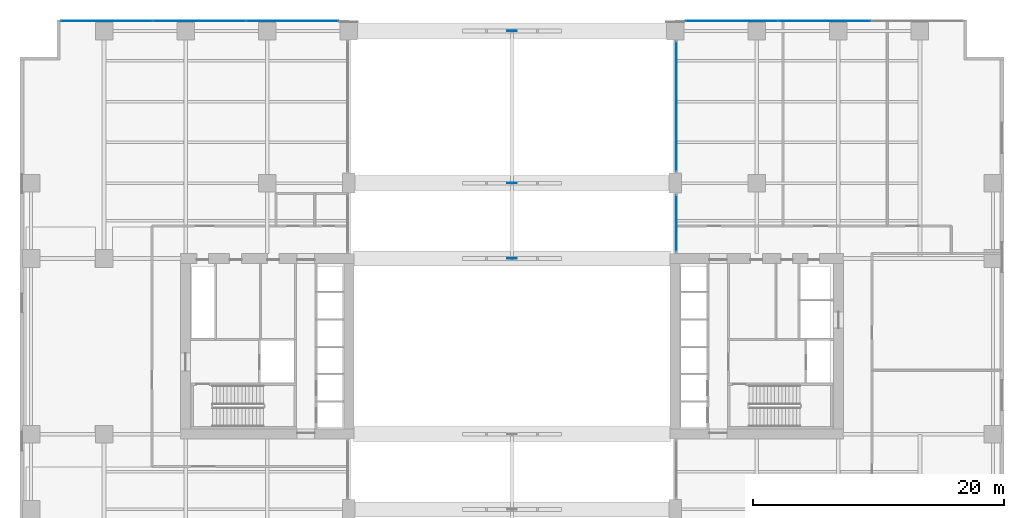
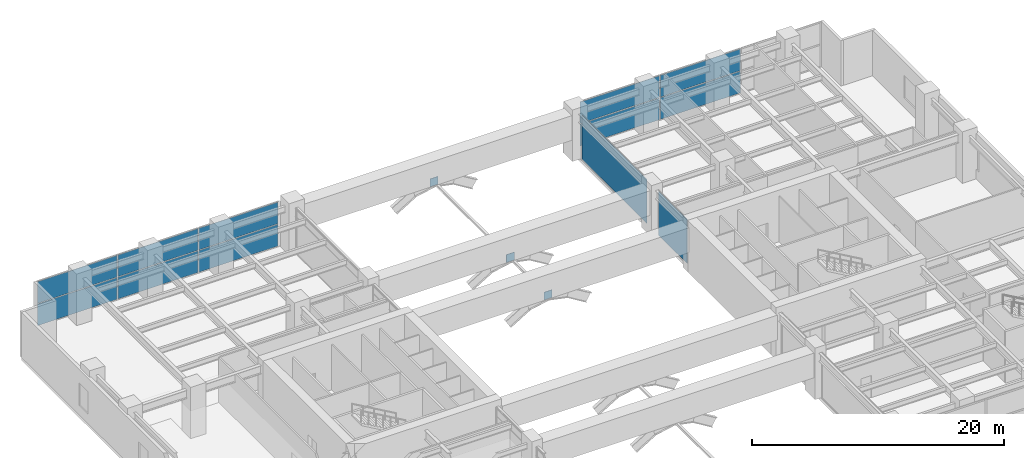
# One storey, part 14 of 23: 15 plates, 4 elements without a shape of their own.
"""IFC4 building model written with IfcOpenShell, lengths in metres."""

import ifcopenshell
import ifcopenshell.guid

model = None  # the IFC model being written
_history = None  # IfcOwnerHistory: only IFC2X3 demands one
_inside = {}  # id of a spatial element -> (the spatial element, [elements in it])
_under = {}  # id of a project, library or spatial element -> (it, [spatial elements below it])
_declared = {}  # id of a project -> (the project, [libraries it declares])
_typed = {}  # id of a type object -> (the type object, [elements of that type])
_made_of = {}  # id of a material, layer set ... -> (it, [elements and type objects made of it])


def new_model(schema):
    """Start an empty IFC model of exactly this schema.

    Asked for "IFC4X3", IfcOpenShell would pick the latest addendum, in which some entities
    have other attributes; the version numbers below select the first issue.
    IFC2X3 requires an IfcOwnerHistory on every rooted entity: one is made here for all.
    """
    global model, _history
    if schema == "IFC4X3":
        model = ifcopenshell.file(schema_version=(4, 3, 0, 0))
    else:
        model = ifcopenshell.file(schema=schema)
    _inside.clear()
    _under.clear()
    _declared.clear()
    _typed.clear()
    _made_of.clear()
    _history = None
    if model.schema == "IFC2X3":
        org = make("IfcOrganization", Name="unknown")
        user = make(
            "IfcPersonAndOrganization",
            ThePerson=make("IfcPerson", FamilyName="unknown"),
            TheOrganization=org,
        )
        app = make(
            "IfcApplication",
            ApplicationDeveloper=org,
            Version="unknown",
            ApplicationFullName="unknown",
            ApplicationIdentifier="unknown",
        )
        _history = make(
            "IfcOwnerHistory",
            OwningUser=user,
            OwningApplication=app,
            ChangeAction="ADDED",
            CreationDate=0,
        )
    return model


def make(cls, **values):
    """One entity of the class cls with the attributes given. An attribute that is None is left unset."""
    return model.create_entity(
        cls, **{name: value for name, value in values.items() if value is not None}
    )


def rooted(cls, **values):
    """An entity with a GlobalId (a new one), such as an element, a storey or a relation."""
    return make(cls, GlobalId=ifcopenshell.guid.new(), OwnerHistory=_history, **values)


def si_unit(unit_type, name, prefix=None):
    """IfcSIUnit, for example si_unit("LENGTHUNIT", "METRE", prefix="MILLI")."""
    return make("IfcSIUnit", UnitType=unit_type, Prefix=prefix, Name=name)


def assignment(units):
    """IfcUnitAssignment: the units of a project."""
    return None if units is None else make("IfcUnitAssignment", Units=units)


def point(xyz):
    """IfcCartesianPoint."""
    return None if xyz is None else make("IfcCartesianPoint", Coordinates=xyz)


def direction(xyz):
    """IfcDirection."""
    return None if xyz is None else make("IfcDirection", DirectionRatios=xyz)


def frame(location, z_axis=None, x_axis=None):
    """IfcAxis2Placement3D, a coordinate frame: its origin and axes. An axis left out is left unset."""
    return make(
        "IfcAxis2Placement3D",
        Location=point(location),
        Axis=direction(z_axis),
        RefDirection=direction(x_axis),
    )


def frame_2d(location, x_axis=None):
    """IfcAxis2Placement2D, a coordinate frame in the plane: its origin and x axis."""
    return make(
        "IfcAxis2Placement2D", Location=point(location), RefDirection=direction(x_axis)
    )


def origin():
    """The frame at (0, 0, 0) with its axes left unset."""
    return frame((0.0, 0.0, 0.0))


def origin_2d():
    """The frame at (0, 0) in the plane with its x axis left unset."""
    return frame_2d((0.0, 0.0))


def place(relative_to, where):
    """IfcLocalPlacement: puts the frame where relative to a parent placement (None: the world)."""
    return make(
        "IfcLocalPlacement", PlacementRelTo=relative_to, RelativePlacement=where
    )


def context(
    kind, dimensions, precision=None, world=None, true_north=None, identifier=None
):
    """IfcGeometricRepresentationContext, for example the 3D "Model" context."""
    return make(
        "IfcGeometricRepresentationContext",
        ContextIdentifier=identifier,
        ContextType=kind,
        CoordinateSpaceDimension=dimensions,
        Precision=precision,
        WorldCoordinateSystem=world,
        TrueNorth=true_north,
    )


def subcontext(parent, identifier, kind, view, scale=None):
    """IfcGeometricRepresentationSubContext, for example "Body" below "Model"."""
    return make(
        "IfcGeometricRepresentationSubContext",
        ContextIdentifier=identifier,
        ContextType=kind,
        ParentContext=parent,
        TargetScale=scale,
        TargetView=view,
    )


def project(units=None, contexts=None):
    """IfcProject with its units and contexts."""
    return rooted(
        "IfcProject",
        Name="project",
        RepresentationContexts=contexts,
        UnitsInContext=assignment(units),
    )


def spatial(cls, under=None, at=None, **own):
    """A site, building, storey or space (cls), placed at a placement, below another one or the project."""
    s = rooted(cls, ObjectPlacement=at, **own)
    if under is not None:
        _under.setdefault(under.id(), (under, []))[1].append(s)
    return s


def profile(cls, at=None, kind="AREA", **sizes):
    """A parametric profile (cls). Its sizes go by their IFC names, for example OverallWidth=200.0."""
    return make(cls, ProfileType=kind, Position=at, **sizes)


def rectangle(**sizes):
    """IfcRectangleProfileDef."""
    return profile("IfcRectangleProfileDef", **sizes)


def extrude(swept, where, along, depth):
    """IfcExtrudedAreaSolid: the profile swept, set in the frame where, extruded along a direction by depth."""
    return make(
        "IfcExtrudedAreaSolid",
        SweptArea=swept,
        Position=where,
        ExtrudedDirection=direction(along),
        Depth=depth,
    )


def shape(context_of_items, identifier, shape_type, items):
    """IfcShapeRepresentation: the items that make up one representation, for example the "Body"."""
    return make(
        "IfcShapeRepresentation",
        ContextOfItems=context_of_items,
        RepresentationIdentifier=identifier,
        RepresentationType=shape_type,
        Items=items,
    )


def material(Name=None, Category=None):
    """IfcMaterial."""
    return make("IfcMaterial", Name=Name, Category=Category)


def layer(
    of_material, thickness, ventilated=None, Name=None, Category=None, Priority=None
):
    """IfcMaterialLayer: one layer of a wall or slab, of a material (None: an air gap)."""
    return make(
        "IfcMaterialLayer",
        Material=of_material,
        LayerThickness=thickness,
        IsVentilated=ventilated,
        Name=Name,
        Category=Category,
        Priority=Priority,
    )


def layer_set(layers, Name=None):
    """IfcMaterialLayerSet."""
    return make("IfcMaterialLayerSet", MaterialLayers=layers, LayerSetName=Name)


def made_of(thing, what):
    """Note that an element or type object is made of a material, layer set ...; save() writes the relation."""
    if what is not None:
        _made_of.setdefault(what.id(), (what, []))[1].append(thing)
    return thing


def type_object(cls, material=None, **own):
    """A type object (cls), such as IfcWallType, which elements share."""
    return made_of(rooted(cls, **own), material)


def element(
    cls,
    number,
    at=None,
    inside=None,
    cuts=None,
    type_object=None,
    material=None,
    context=None,
    identifier="Body",
    shape_type=None,
    held_by="IfcProductDefinitionShape",
    body=None,
    shapes=None,
    **own,
):
    """One element of the class cls, such as IfcWall. Its Tag is "e" and its number.

    at: its placement. inside: the storey or other place that contains it. cuts: it is an
    opening in that element (IfcRelVoidsElement). A single representation is given by context,
    identifier, shape_type and body (its items); several are given by shapes. held_by: the class
    of the entity that holds the representations. save() writes the other relations.
    """
    e = rooted(cls, Tag="e%d" % number, ObjectPlacement=at, **own)
    if body is not None:
        shapes = [shape(context, identifier, shape_type, body)]
    if shapes is not None:
        e.Representation = make(held_by, Representations=shapes)
    if inside is not None:
        _inside.setdefault(inside.id(), (inside, []))[1].append(e)
    if cuts is not None:
        rooted(
            "IfcRelVoidsElement", RelatingBuildingElement=cuts, RelatedOpeningElement=e
        )
    if type_object is not None:
        _typed.setdefault(type_object.id(), (type_object, []))[1].append(e)
    return made_of(e, material)


def aggregate(whole, parts):
    """IfcRelAggregates: a whole, such as a stair, and the parts it consists of."""
    return rooted("IfcRelAggregates", RelatingObject=whole, RelatedObjects=parts)


def save(model, path):
    """Write the relations noted so far, then the file.

    IfcRelAggregates (storeys below a building ...), IfcRelContainedInSpatialStructure (elements
    in a storey), IfcRelDefinesByType, IfcRelAssociatesMaterial and IfcRelDeclares: one each for
    every whole, place, type object, material and project.
    """
    for whole, parts in _under.values():
        aggregate(whole, parts)
    for where, things in _inside.values():
        rooted(
            "IfcRelContainedInSpatialStructure",
            RelatedElements=things,
            RelatingStructure=where,
        )
    for kind, things in _typed.values():
        rooted("IfcRelDefinesByType", RelatedObjects=things, RelatingType=kind)
    for what, things in _made_of.values():
        rooted("IfcRelAssociatesMaterial", RelatedObjects=things, RelatingMaterial=what)
    for by, libraries in _declared.values():
        rooted("IfcRelDeclares", RelatingContext=by, RelatedDefinitions=libraries)
    model.write(path)


model = new_model("IFC4")

# Units and contexts
model_context = context("Model", 3, precision=1e-05, world=origin(), true_north=direction((0.0, 1.0)))
body_context = subcontext(model_context, "Body", "Model", "MODEL_VIEW")
ifc_project = project(units=[si_unit("LENGTHUNIT", "METRE"), si_unit("AREAUNIT", "SQUARE_METRE"), si_unit("VOLUMEUNIT", "CUBIC_METRE"), si_unit("PLANEANGLEUNIT", "RADIAN"), si_unit("MASSUNIT", "GRAM", prefix="KILO")], contexts=[model_context])

# Site, building, storey
site_placement = place(None, origin())
site = spatial("IfcSite", under=ifc_project, at=site_placement, CompositionType="ELEMENT")
building_placement = place(site_placement, origin())
building = spatial("IfcBuilding", under=site, at=building_placement, Name="Putna Gate Headquarters", CompositionType="ELEMENT")
storey_placement = place(building_placement, frame((0.0, 0.0, 17.0)))
storey = spatial("IfcBuildingStorey", under=building, at=storey_placement, Name="L03", CompositionType="ELEMENT", Elevation=17.0)

# Curtain wall, plate
ifc_material_1 = material(Name="Anodised bronze aluminium curtain wall", Category="aluminium")
ifc_layer_1 = layer(ifc_material_1, 0.179931640625)
ifc_layer_set_1 = layer_set([ifc_layer_1], Name="Anodised bronze aluminium curtain wall")
curtain_wall_type_1 = type_object("IfcCurtainWallType", Name="CW-SYS-ATR", PredefinedType="USERDEFINED", material=ifc_layer_set_1)
curtain_wall_1_placement = place(storey_placement, origin())
curtain_wall_1 = element("IfcCurtainWall", 1, at=curtain_wall_1_placement, inside=storey, type_object=curtain_wall_type_1, Name="L03 Arch Flank Glazing E-N1", ObjectType="ATRIUM GLAZING", PredefinedType="USERDEFINED")
ifc_material_2 = material(Name="Clear low-iron triple glazing", Category="glass")
ifc_layer_2 = layer(ifc_material_2, 0.0400390625)
ifc_layer_set_2 = layer_set([ifc_layer_2], Name="Clear low-iron triple glazing")
plate_type_1 = type_object("IfcPlateType", Name="PAN-CWP-AT", PredefinedType="CURTAIN_PANEL", material=ifc_layer_set_2)
plate_1_placement = place(storey_placement, frame((52.10009765625, 35.800048828125, 0.06982421875), z_axis=(0.0, 0.0, 1.0), x_axis=(0.0, 1.0, 0.0)))
plate_1 = element("IfcPlate", 2, at=plate_1_placement, type_object=plate_type_1, Name="CWS-AT panel 1.1", PredefinedType="CURTAIN_PANEL", context=body_context, shape_type="SweptSolid", body=[
    extrude(rectangle(XDim=4.5, YDim=0.0400390625, at=origin_2d()), origin(), (0.0, 0.0, 1.0), 4.260009765625),
])
aggregate(curtain_wall_1, [plate_1])

curtain_wall_2_placement = place(storey_placement, origin())
curtain_wall_2 = element("IfcCurtainWall", 3, at=curtain_wall_2_placement, inside=storey, type_object=curtain_wall_type_1, Name="L03 Arch Flank Glazing E-N2", ObjectType="ATRIUM GLAZING", PredefinedType="USERDEFINED")
plate_2_placement = place(storey_placement, frame((52.10009765625, 45.114990234375, 0.06982421875), z_axis=(0.0, 0.0, 1.0), x_axis=(0.0, 1.0, 0.0)))
plate_2 = element("IfcPlate", 4, at=plate_2_placement, type_object=plate_type_1, Name="CWS-AT panel 1.1", PredefinedType="CURTAIN_PANEL", context=body_context, shape_type="SweptSolid", body=[
    extrude(rectangle(XDim=10.330078125, YDim=0.0400390625, at=origin_2d()), origin(), (0.0, 0.0, 1.0), 4.260009765625),
])
aggregate(curtain_wall_2, [plate_2])

# Curtain wall, plates
ifc_layer_3 = layer(ifc_material_1, 0.179931640625)
ifc_layer_set_3 = layer_set([ifc_layer_3], Name="Anodised bronze aluminium curtain wall")
curtain_wall_type_2 = type_object("IfcCurtainWallType", Name="CW-SYS-POD", PredefinedType="USERDEFINED", material=ifc_layer_set_3)
curtain_wall_3_placement = place(storey_placement, origin())
curtain_wall_3 = element("IfcCurtainWall", 5, at=curtain_wall_3_placement, inside=storey, type_object=curtain_wall_type_2, Name="L03 North West Curtain Wall", ObjectType="STICK CURTAIN WALL", PredefinedType="USERDEFINED")
ifc_material_3 = material(Name="Solar-control triple low-E glass", Category="glass")
ifc_layer_4 = layer(ifc_material_3, 0.035888671875)
ifc_layer_set_4 = layer_set([ifc_layer_4], Name="Solar-control triple low-E glass")
plate_type_2 = type_object("IfcPlateType", Name="PAN-CWP-P", PredefinedType="CURTAIN_PANEL", material=ifc_layer_set_4)
plate_3_placement = place(storey_placement, frame((6.720947265625, 51.919921875, 0.06982421875), z_axis=(0.0, 0.0, 1.0), x_axis=(1.0, 0.0, 0.0)))
plate_3 = element("IfcPlate", 6, at=plate_3_placement, type_object=plate_type_2, Name="CWS-P panel 1.1", PredefinedType="CURTAIN_PANEL", context=body_context, shape_type="SweptSolid", body=[
    extrude(rectangle(XDim=7.3017578125, YDim=0.035888671875, at=origin_2d()), origin(), (0.0, 0.0, 1.0), 2.094970703125),
])
plate_4_placement = place(storey_placement, frame((6.720947265625, 51.919921875, 2.23486328125), z_axis=(0.0, 0.0, 1.0), x_axis=(1.0, 0.0, 0.0)))
plate_4 = element("IfcPlate", 7, at=plate_4_placement, type_object=plate_type_2, Name="CWS-P panel 1.2", PredefinedType="CURTAIN_PANEL", context=body_context, shape_type="SweptSolid", body=[
    extrude(rectangle(XDim=7.3017578125, YDim=0.035888671875, at=origin_2d()), origin(), (0.0, 0.0, 1.0), 2.094970703125),
])
plate_5_placement = place(storey_placement, frame((14.110107421875, 51.919921875, 0.06982421875), z_axis=(0.0, 0.0, 1.0), x_axis=(1.0, 0.0, 0.0)))
plate_5 = element("IfcPlate", 8, at=plate_5_placement, type_object=plate_type_2, Name="CWS-P panel 2.1", PredefinedType="CURTAIN_PANEL", context=body_context, shape_type="SweptSolid", body=[
    extrude(rectangle(XDim=7.336669921875, YDim=0.035888671875, at=origin_2d()), origin(), (0.0, 0.0, 1.0), 2.094970703125),
])
plate_6_placement = place(storey_placement, frame((14.110107421875, 51.919921875, 2.23486328125), z_axis=(0.0, 0.0, 1.0), x_axis=(1.0, 0.0, 0.0)))
plate_6 = element("IfcPlate", 9, at=plate_6_placement, type_object=plate_type_2, Name="CWS-P panel 2.2", PredefinedType="CURTAIN_PANEL", context=body_context, shape_type="SweptSolid", body=[
    extrude(rectangle(XDim=7.336669921875, YDim=0.035888671875, at=origin_2d()), origin(), (0.0, 0.0, 1.0), 2.094970703125),
])
plate_7_placement = place(storey_placement, frame((21.499267578125, 51.919921875, 0.06982421875), z_axis=(0.0, 0.0, 1.0), x_axis=(1.0, 0.0, 0.0)))
plate_7 = element("IfcPlate", 10, at=plate_7_placement, type_object=plate_type_2, Name="CWS-P panel 3.1", PredefinedType="CURTAIN_PANEL", context=body_context, shape_type="SweptSolid", body=[
    extrude(rectangle(XDim=7.3017578125, YDim=0.035888671875, at=origin_2d()), origin(), (0.0, 0.0, 1.0), 2.094970703125),
])
plate_8_placement = place(storey_placement, frame((21.499267578125, 51.919921875, 2.23486328125), z_axis=(0.0, 0.0, 1.0), x_axis=(1.0, 0.0, 0.0)))
plate_8 = element("IfcPlate", 11, at=plate_8_placement, type_object=plate_type_2, Name="CWS-P panel 3.2", PredefinedType="CURTAIN_PANEL", context=body_context, shape_type="SweptSolid", body=[
    extrude(rectangle(XDim=7.3017578125, YDim=0.035888671875, at=origin_2d()), origin(), (0.0, 0.0, 1.0), 2.094970703125),
])
aggregate(curtain_wall_3, [plate_3, plate_4, plate_5, plate_6, plate_7, plate_8])

curtain_wall_4_placement = place(storey_placement, origin())
curtain_wall_4 = element("IfcCurtainWall", 12, at=curtain_wall_4_placement, inside=storey, type_object=curtain_wall_type_2, Name="L03 North East Curtain Wall", ObjectType="STICK CURTAIN WALL", PredefinedType="USERDEFINED")
plate_9_placement = place(storey_placement, frame((56.500732421875, 51.919921875, 0.06982421875), z_axis=(0.0, 0.0, 1.0), x_axis=(1.0, 0.0, 0.0)))
plate_9 = element("IfcPlate", 13, at=plate_9_placement, type_object=plate_type_2, Name="CWS-P panel 1.1", PredefinedType="CURTAIN_PANEL", context=body_context, shape_type="SweptSolid", body=[
    extrude(rectangle(XDim=7.3017578125, YDim=0.035888671875, at=origin_2d()), origin(), (0.0, 0.0, 1.0), 2.094970703125),
])
plate_10_placement = place(storey_placement, frame((56.500732421875, 51.919921875, 2.23486328125), z_axis=(0.0, 0.0, 1.0), x_axis=(1.0, 0.0, 0.0)))
plate_10 = element("IfcPlate", 14, at=plate_10_placement, type_object=plate_type_2, Name="CWS-P panel 1.2", PredefinedType="CURTAIN_PANEL", context=body_context, shape_type="SweptSolid", body=[
    extrude(rectangle(XDim=7.3017578125, YDim=0.035888671875, at=origin_2d()), origin(), (0.0, 0.0, 1.0), 2.094970703125),
])
plate_11_placement = place(storey_placement, frame((63.889892578125, 51.919921875, 0.06982421875), z_axis=(0.0, 0.0, 1.0), x_axis=(1.0, 0.0, 0.0)))
plate_11 = element("IfcPlate", 15, at=plate_11_placement, type_object=plate_type_2, Name="CWS-P panel 2.1", PredefinedType="CURTAIN_PANEL", context=body_context, shape_type="SweptSolid", body=[
    extrude(rectangle(XDim=7.336669921875, YDim=0.035888671875, at=origin_2d()), origin(), (0.0, 0.0, 1.0), 2.094970703125),
])
plate_12_placement = place(storey_placement, frame((63.889892578125, 51.919921875, 2.23486328125), z_axis=(0.0, 0.0, 1.0), x_axis=(1.0, 0.0, 0.0)))
plate_12 = element("IfcPlate", 16, at=plate_12_placement, type_object=plate_type_2, Name="CWS-P panel 2.2", PredefinedType="CURTAIN_PANEL", context=body_context, shape_type="SweptSolid", body=[
    extrude(rectangle(XDim=7.336669921875, YDim=0.035888671875, at=origin_2d()), origin(), (0.0, 0.0, 1.0), 2.094970703125),
])
aggregate(curtain_wall_4, [plate_9, plate_10, plate_11, plate_12])

# Plates
ifc_material_4 = material(Name="Steel S460M", Category="steel")
ifc_layer_5 = layer(ifc_material_4, 0.0400390625)
ifc_layer_set_5 = layer_set([ifc_layer_5], Name="Steel S460M")
plate_type_3 = type_object("IfcPlateType", Name="PLT-NODE-AN2", PredefinedType="SHEET", material=ifc_layer_set_5)
plate_13_placement = place(storey_placement, frame((39.0, 51.1201171875, 1.574951171875), z_axis=(0.0, 0.0, 1.0), x_axis=(1.0, 0.0, 0.0)))
element("IfcPlate", 17, at=plate_13_placement, inside=storey, type_object=plate_type_3, Name="Giant Arch Crown Node Plate AN2 N", PredefinedType="SHEET", context=body_context, shape_type="SweptSolid", body=[
    extrude(rectangle(XDim=0.75, YDim=0.0400390625, at=origin_2d()), origin(), (0.0, 0.0, 1.0), 0.75),
])
ifc_layer_6 = layer(ifc_material_4, 0.0400390625)
ifc_layer_set_6 = layer_set([ifc_layer_6], Name="Steel S460M")
plate_type_4 = type_object("IfcPlateType", Name="PLT-NODE-AN2-INT", PredefinedType="SHEET", material=ifc_layer_set_6)
for number, where, z_axis, x_axis, name in (
    (18, (39.0, 33.0, 1.574951171875), (0.0, 0.0, 1.0), (1.0, 0.0, 0.0), "Giant Arch Crown Node Plate AN2 AN"),
    (19, (39.0, 39.0, 1.574951171875), (0.0, 0.0, 1.0), (1.0, 0.0, 0.0), "Giant Arch Crown Node Plate AN2 CN"),
):
    element("IfcPlate", number, at=place(storey_placement, frame(where, z_axis=z_axis, x_axis=x_axis)), inside=storey, type_object=plate_type_4, Name=name, PredefinedType="SHEET", context=body_context, shape_type="SweptSolid", body=[
        extrude(rectangle(XDim=0.75, YDim=0.0400390625, at=origin_2d()), origin(), (0.0, 0.0, 1.0), 0.75),
    ])

save(model, "model.ifc")
